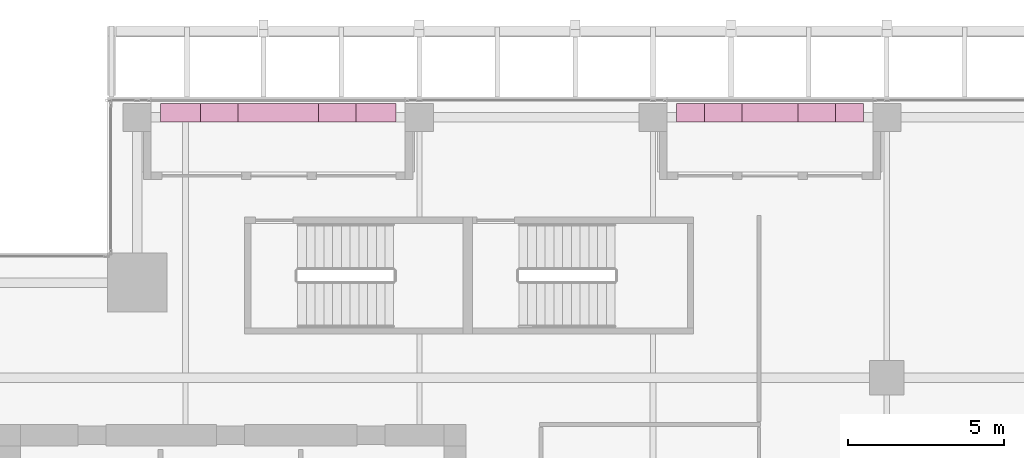
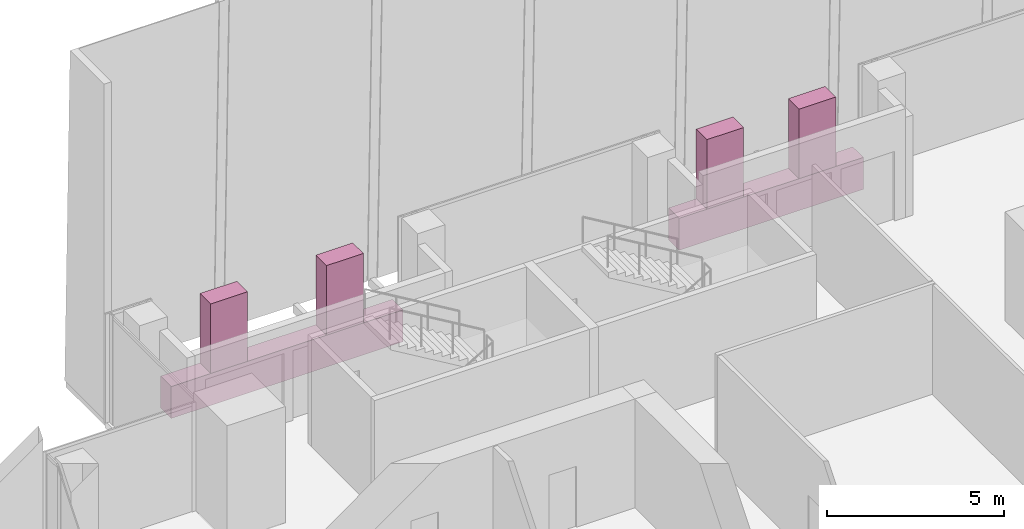
# One storey, part 33 of 33: 6 furnishings.
"""IFC4 building model written with IfcOpenShell, lengths in metres."""

import ifcopenshell
import ifcopenshell.guid

model = None  # the IFC model being written
_history = None  # IfcOwnerHistory: only IFC2X3 demands one
_inside = {}  # id of a spatial element -> (the spatial element, [elements in it])
_under = {}  # id of a project, library or spatial element -> (it, [spatial elements below it])
_declared = {}  # id of a project -> (the project, [libraries it declares])
_typed = {}  # id of a type object -> (the type object, [elements of that type])
_made_of = {}  # id of a material, layer set ... -> (it, [elements and type objects made of it])


def new_model(schema):
    """Start an empty IFC model of exactly this schema.

    Asked for "IFC4X3", IfcOpenShell would pick the latest addendum, in which some entities
    have other attributes; the version numbers below select the first issue.
    IFC2X3 requires an IfcOwnerHistory on every rooted entity: one is made here for all.
    """
    global model, _history
    if schema == "IFC4X3":
        model = ifcopenshell.file(schema_version=(4, 3, 0, 0))
    else:
        model = ifcopenshell.file(schema=schema)
    _inside.clear()
    _under.clear()
    _declared.clear()
    _typed.clear()
    _made_of.clear()
    _history = None
    if model.schema == "IFC2X3":
        org = make("IfcOrganization", Name="unknown")
        user = make(
            "IfcPersonAndOrganization",
            ThePerson=make("IfcPerson", FamilyName="unknown"),
            TheOrganization=org,
        )
        app = make(
            "IfcApplication",
            ApplicationDeveloper=org,
            Version="unknown",
            ApplicationFullName="unknown",
            ApplicationIdentifier="unknown",
        )
        _history = make(
            "IfcOwnerHistory",
            OwningUser=user,
            OwningApplication=app,
            ChangeAction="ADDED",
            CreationDate=0,
        )
    return model


def make(cls, **values):
    """One entity of the class cls with the attributes given. An attribute that is None is left unset."""
    return model.create_entity(
        cls, **{name: value for name, value in values.items() if value is not None}
    )


def rooted(cls, **values):
    """An entity with a GlobalId (a new one), such as an element, a storey or a relation."""
    return make(cls, GlobalId=ifcopenshell.guid.new(), OwnerHistory=_history, **values)


def si_unit(unit_type, name, prefix=None):
    """IfcSIUnit, for example si_unit("LENGTHUNIT", "METRE", prefix="MILLI")."""
    return make("IfcSIUnit", UnitType=unit_type, Prefix=prefix, Name=name)


def assignment(units):
    """IfcUnitAssignment: the units of a project."""
    return None if units is None else make("IfcUnitAssignment", Units=units)


def point(xyz):
    """IfcCartesianPoint."""
    return None if xyz is None else make("IfcCartesianPoint", Coordinates=xyz)


def direction(xyz):
    """IfcDirection."""
    return None if xyz is None else make("IfcDirection", DirectionRatios=xyz)


def frame(location, z_axis=None, x_axis=None):
    """IfcAxis2Placement3D, a coordinate frame: its origin and axes. An axis left out is left unset."""
    return make(
        "IfcAxis2Placement3D",
        Location=point(location),
        Axis=direction(z_axis),
        RefDirection=direction(x_axis),
    )


def frame_2d(location, x_axis=None):
    """IfcAxis2Placement2D, a coordinate frame in the plane: its origin and x axis."""
    return make(
        "IfcAxis2Placement2D", Location=point(location), RefDirection=direction(x_axis)
    )


def origin():
    """The frame at (0, 0, 0) with its axes left unset."""
    return frame((0.0, 0.0, 0.0))


def origin_2d():
    """The frame at (0, 0) in the plane with its x axis left unset."""
    return frame_2d((0.0, 0.0))


def place(relative_to, where):
    """IfcLocalPlacement: puts the frame where relative to a parent placement (None: the world)."""
    return make(
        "IfcLocalPlacement", PlacementRelTo=relative_to, RelativePlacement=where
    )


def context(
    kind, dimensions, precision=None, world=None, true_north=None, identifier=None
):
    """IfcGeometricRepresentationContext, for example the 3D "Model" context."""
    return make(
        "IfcGeometricRepresentationContext",
        ContextIdentifier=identifier,
        ContextType=kind,
        CoordinateSpaceDimension=dimensions,
        Precision=precision,
        WorldCoordinateSystem=world,
        TrueNorth=true_north,
    )


def subcontext(parent, identifier, kind, view, scale=None):
    """IfcGeometricRepresentationSubContext, for example "Body" below "Model"."""
    return make(
        "IfcGeometricRepresentationSubContext",
        ContextIdentifier=identifier,
        ContextType=kind,
        ParentContext=parent,
        TargetScale=scale,
        TargetView=view,
    )


def project(units=None, contexts=None):
    """IfcProject with its units and contexts."""
    return rooted(
        "IfcProject",
        Name="project",
        RepresentationContexts=contexts,
        UnitsInContext=assignment(units),
    )


def spatial(cls, under=None, at=None, **own):
    """A site, building, storey or space (cls), placed at a placement, below another one or the project."""
    s = rooted(cls, ObjectPlacement=at, **own)
    if under is not None:
        _under.setdefault(under.id(), (under, []))[1].append(s)
    return s


def profile(cls, at=None, kind="AREA", **sizes):
    """A parametric profile (cls). Its sizes go by their IFC names, for example OverallWidth=200.0."""
    return make(cls, ProfileType=kind, Position=at, **sizes)


def rectangle(**sizes):
    """IfcRectangleProfileDef."""
    return profile("IfcRectangleProfileDef", **sizes)


def extrude(swept, where, along, depth):
    """IfcExtrudedAreaSolid: the profile swept, set in the frame where, extruded along a direction by depth."""
    return make(
        "IfcExtrudedAreaSolid",
        SweptArea=swept,
        Position=where,
        ExtrudedDirection=direction(along),
        Depth=depth,
    )


def shape(context_of_items, identifier, shape_type, items):
    """IfcShapeRepresentation: the items that make up one representation, for example the "Body"."""
    return make(
        "IfcShapeRepresentation",
        ContextOfItems=context_of_items,
        RepresentationIdentifier=identifier,
        RepresentationType=shape_type,
        Items=items,
    )


def source(mapping_origin, context_of_items, identifier, shape_type, items):
    """IfcRepresentationMap: a shape defined once, which mapped items show again and again."""
    return make(
        "IfcRepresentationMap",
        MappingOrigin=mapping_origin,
        MappedRepresentation=shape(context_of_items, identifier, shape_type, items),
    )


def transform(
    local_origin,
    x_axis=None,
    y_axis=None,
    z_axis=None,
    scale=None,
    scale2=None,
    scale3=None,
    uniform=True,
):
    """IfcCartesianTransformationOperator3D, or its non-uniform kind. x_axis, y_axis, z_axis: its Axis1, 2, 3."""
    if uniform:
        return make(
            "IfcCartesianTransformationOperator3D",
            Axis1=direction(x_axis),
            Axis2=direction(y_axis),
            LocalOrigin=point(local_origin),
            Scale=scale,
            Axis3=direction(z_axis),
        )
    return make(
        "IfcCartesianTransformationOperator3DnonUniform",
        Axis1=direction(x_axis),
        Axis2=direction(y_axis),
        LocalOrigin=point(local_origin),
        Scale=scale,
        Axis3=direction(z_axis),
        Scale2=scale2,
        Scale3=scale3,
    )


def mapped(mapping_source, mapping_target):
    """IfcMappedItem: shows the shape of a source again, moved by a transform."""
    return make(
        "IfcMappedItem", MappingSource=mapping_source, MappingTarget=mapping_target
    )


def material(Name=None, Category=None):
    """IfcMaterial."""
    return make("IfcMaterial", Name=Name, Category=Category)


def made_of(thing, what):
    """Note that an element or type object is made of a material, layer set ...; save() writes the relation."""
    if what is not None:
        _made_of.setdefault(what.id(), (what, []))[1].append(thing)
    return thing


def type_object(cls, material=None, **own):
    """A type object (cls), such as IfcWallType, which elements share."""
    return made_of(rooted(cls, **own), material)


def element(
    cls,
    number,
    at=None,
    inside=None,
    cuts=None,
    type_object=None,
    material=None,
    context=None,
    identifier="Body",
    shape_type=None,
    held_by="IfcProductDefinitionShape",
    body=None,
    shapes=None,
    **own,
):
    """One element of the class cls, such as IfcWall. Its Tag is "e" and its number.

    at: its placement. inside: the storey or other place that contains it. cuts: it is an
    opening in that element (IfcRelVoidsElement). A single representation is given by context,
    identifier, shape_type and body (its items); several are given by shapes. held_by: the class
    of the entity that holds the representations. save() writes the other relations.
    """
    e = rooted(cls, Tag="e%d" % number, ObjectPlacement=at, **own)
    if body is not None:
        shapes = [shape(context, identifier, shape_type, body)]
    if shapes is not None:
        e.Representation = make(held_by, Representations=shapes)
    if inside is not None:
        _inside.setdefault(inside.id(), (inside, []))[1].append(e)
    if cuts is not None:
        rooted(
            "IfcRelVoidsElement", RelatingBuildingElement=cuts, RelatedOpeningElement=e
        )
    if type_object is not None:
        _typed.setdefault(type_object.id(), (type_object, []))[1].append(e)
    return made_of(e, material)


def aggregate(whole, parts):
    """IfcRelAggregates: a whole, such as a stair, and the parts it consists of."""
    return rooted("IfcRelAggregates", RelatingObject=whole, RelatedObjects=parts)


def save(model, path):
    """Write the relations noted so far, then the file.

    IfcRelAggregates (storeys below a building ...), IfcRelContainedInSpatialStructure (elements
    in a storey), IfcRelDefinesByType, IfcRelAssociatesMaterial and IfcRelDeclares: one each for
    every whole, place, type object, material and project.
    """
    for whole, parts in _under.values():
        aggregate(whole, parts)
    for where, things in _inside.values():
        rooted(
            "IfcRelContainedInSpatialStructure",
            RelatedElements=things,
            RelatingStructure=where,
        )
    for kind, things in _typed.values():
        rooted("IfcRelDefinesByType", RelatedObjects=things, RelatingType=kind)
    for what, things in _made_of.values():
        rooted("IfcRelAssociatesMaterial", RelatedObjects=things, RelatingMaterial=what)
    for by, libraries in _declared.values():
        rooted("IfcRelDeclares", RelatingContext=by, RelatedDefinitions=libraries)
    model.write(path)


model = new_model("IFC4")

# Units and contexts
model_context = context("Model", 3, precision=1e-05, world=origin(), true_north=direction((0.0, 1.0)))
body_context = subcontext(model_context, "Body", "Model", "MODEL_VIEW")
ifc_project = project(units=[si_unit("LENGTHUNIT", "METRE"), si_unit("AREAUNIT", "SQUARE_METRE"), si_unit("VOLUMEUNIT", "CUBIC_METRE"), si_unit("PLANEANGLEUNIT", "RADIAN"), si_unit("MASSUNIT", "GRAM", prefix="KILO")], contexts=[model_context])

# Site, building, storey
site_placement = place(None, origin())
site = spatial("IfcSite", under=ifc_project, at=site_placement, CompositionType="ELEMENT")
building_placement = place(site_placement, origin())
building = spatial("IfcBuilding", under=site, at=building_placement, Name="Khomas Fold Tower", CompositionType="ELEMENT")
storey_placement = place(building_placement, frame((0.0, 0.0, 234.199951171875)))
storey = spatial("IfcBuildingStorey", under=building, at=storey_placement, Name="L52", CompositionType="ELEMENT", Elevation=234.199951171875)

# Furnishings
ifc_material_1 = material(Name="Planting")
furnishing_element_type_1 = type_object("IfcFurnishingElementType", Name="BL-Tree Karee", material=ifc_material_1)
shared_shape_1 = source(origin(), body_context, "Body", "SweptSolid", [
    extrude(rectangle(XDim=1.199951171875, YDim=0.60009765625, at=origin_2d()), origin(), (0.0, 0.0, 1.0), 2.39501953125),
])
furnishing_1_placement = place(storey_placement, frame((29.25, 49.0, 1.054931640625), z_axis=(0.0, 0.0, 1.0), x_axis=(1.0, 0.0, 0.0)))
element("IfcFurnishingElement", 1, at=furnishing_1_placement, inside=storey, type_object=furnishing_element_type_1, Name="PLANTER (TREE) Karee BAL-L52-N3-1", context=body_context, shape_type="MappedRepresentation", body=[
    mapped(shared_shape_1, transform((0.0, 0.0, 0.0))),
])
ifc_material_2 = material(Name="Planting")
furnishing_element_type_2 = type_object("IfcFurnishingElementType", Name="BL-Tree Wild olive", material=ifc_material_2)
furnishing_2_placement = place(storey_placement, frame((32.25, 49.0, 1.054931640625), z_axis=(0.0, 0.0, 1.0), x_axis=(1.0, 0.0, 0.0)))
element("IfcFurnishingElement", 2, at=furnishing_2_placement, inside=storey, type_object=furnishing_element_type_2, Name="PLANTER (TREE) Wild olive BAL-L52-N3-2", context=body_context, shape_type="MappedRepresentation", body=[
    mapped(shared_shape_1, transform((0.0, 0.0, 0.0))),
])
furnishing_3_placement = place(storey_placement, frame((13.08740234375, 49.0, 1.054931640625), z_axis=(0.0, 0.0, 1.0), x_axis=(1.0, 0.0, 0.0)))
element("IfcFurnishingElement", 3, at=furnishing_3_placement, inside=storey, type_object=furnishing_element_type_1, Name="PLANTER (TREE) Karee BAL-L52-N1-1", context=body_context, shape_type="MappedRepresentation", body=[
    mapped(shared_shape_1, transform((0.0, 0.0, 0.0))),
])
furnishing_4_placement = place(storey_placement, frame((16.862548828125, 49.0, 1.054931640625), z_axis=(0.0, 0.0, 1.0), x_axis=(1.0, 0.0, 0.0)))
element("IfcFurnishingElement", 4, at=furnishing_4_placement, inside=storey, type_object=furnishing_element_type_2, Name="PLANTER (TREE) Wild olive BAL-L52-N1-2", context=body_context, shape_type="MappedRepresentation", body=[
    mapped(shared_shape_1, transform((0.0, 0.0, 0.0))),
])
ifc_material_3 = material(Name="Precast concrete C40/50", Category="concrete")
furnishing_element_type_3 = type_object("IfcFurnishingElementType", Name="BL-Structural planter box", material=ifc_material_3)
shared_shape_2 = source(origin(), body_context, "Body", "SweptSolid", [
    extrude(rectangle(XDim=7.550048828125, YDim=0.60009765625, at=origin_2d()), origin(), (0.0, 0.0, 1.0), 1.10009765625),
])
furnishing_5_placement = place(storey_placement, frame((14.97509765625, 49.0, -0.044921875), z_axis=(0.0, 0.0, 1.0), x_axis=(1.0, 0.0, 0.0)))
element("IfcFurnishingElement", 5, at=furnishing_5_placement, inside=storey, type_object=furnishing_element_type_3, Name="PLANTER BAL-L52-N1", context=body_context, shape_type="MappedRepresentation", body=[
    mapped(shared_shape_2, transform((0.0, 0.0, 0.0))),
])
shared_shape_3 = source(origin(), body_context, "Body", "SweptSolid", [
    extrude(rectangle(XDim=6.0, YDim=0.60009765625, at=origin_2d()), origin(), (0.0, 0.0, 1.0), 1.10009765625),
])
furnishing_6_placement = place(storey_placement, frame((30.75, 49.0, -0.044921875), z_axis=(0.0, 0.0, 1.0), x_axis=(1.0, 0.0, 0.0)))
element("IfcFurnishingElement", 6, at=furnishing_6_placement, inside=storey, type_object=furnishing_element_type_3, Name="PLANTER BAL-L52-N3", context=body_context, shape_type="MappedRepresentation", body=[
    mapped(shared_shape_3, transform((0.0, 0.0, 0.0))),
])

save(model, "model.ifc")
